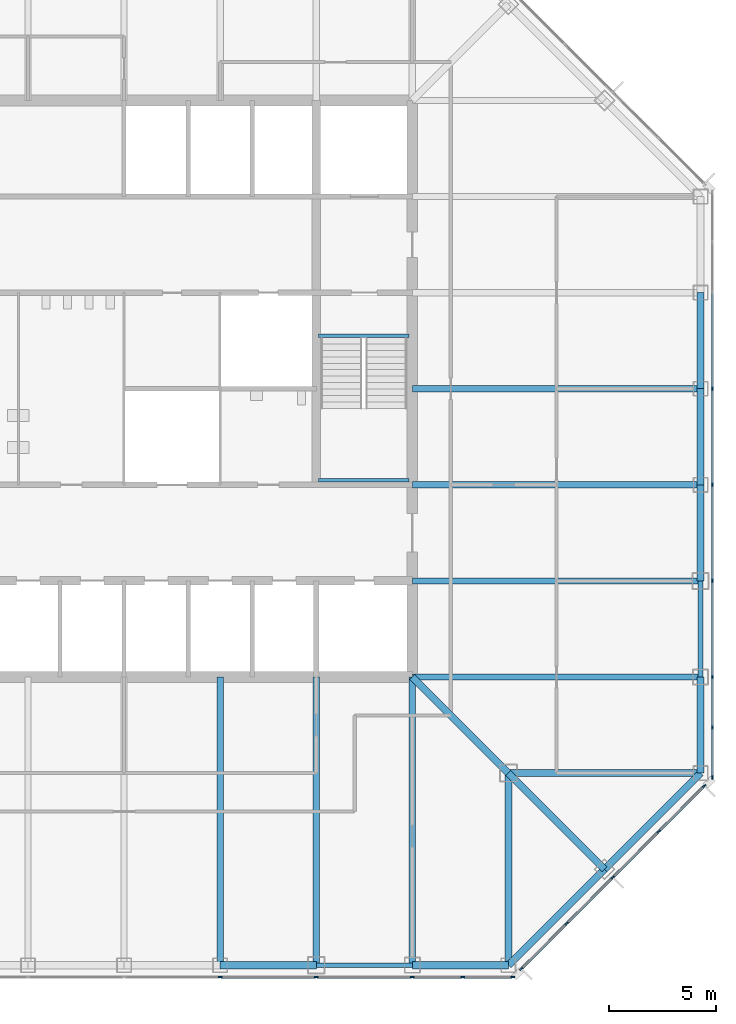
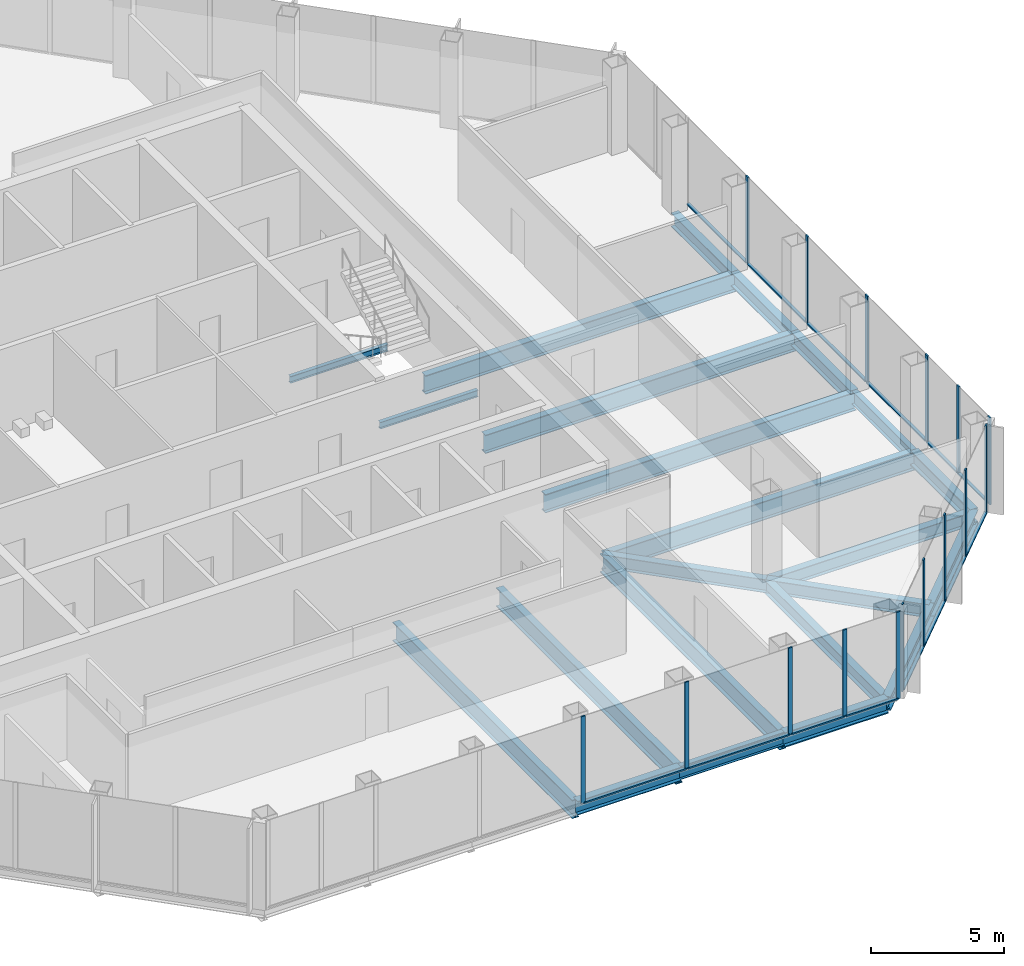
# One storey, part 4 of 13: 30 members, 23 beams, 3 elements without a shape of their own.
"""IFC4 building model written with IfcOpenShell, lengths in metres."""

from ifc_helpers import new_model, si_unit, direction, frame, origin, origin_2d, place, context, subcontext, project, spatial, rectangle, i_section, extrude, material, material_profile, profile_set, type_object, element, aggregate, save


model = new_model("IFC4")

# Units and contexts
model_context = context("Model", 3, precision=1e-05, world=origin(), true_north=direction((0.0, 1.0)))
body_context = subcontext(model_context, "Body", "Model", "MODEL_VIEW")
ifc_project = project(units=[si_unit("LENGTHUNIT", "METRE"), si_unit("AREAUNIT", "SQUARE_METRE"), si_unit("VOLUMEUNIT", "CUBIC_METRE"), si_unit("PLANEANGLEUNIT", "RADIAN"), si_unit("MASSUNIT", "GRAM", prefix="KILO")], contexts=[model_context])

# Site, building, storey
site_placement = place(None, origin())
site = spatial("IfcSite", under=ifc_project, at=site_placement, CompositionType="ELEMENT")
building_placement = place(site_placement, origin())
building = spatial("IfcBuilding", under=site, at=building_placement, Name="Corais Broadcast Tower", CompositionType="ELEMENT")
storey_placement = place(building_placement, frame((0.0, 0.0, 155.60009765625)))
storey = spatial("IfcBuildingStorey", under=building, at=storey_placement, Name="L35", CompositionType="ELEMENT", Elevation=155.60009765625)

# Beams
ifc_material_1 = material(Name="Steel ASTM A572 Grade 50", Category="steel")
ifc_material_profile_1 = material_profile(ifc_material_1, i_section(OverallWidth=0.323974609375, OverallDepth=0.611083984375, WebThickness=0.0126953125, FlangeThickness=0.01904296875, at=origin_2d()), Name="W610x155")
ifc_profile_set_1 = profile_set([ifc_material_profile_1], Name="Steel ASTM A572 Grade 50")
beam_type_1 = type_object("IfcBeamType", Name="Chamfer tie W610x155", PredefinedType="BEAM", material=ifc_profile_set_1)
beam_1_placement = place(storey_placement, frame((49.5, 4.5, -0.465576171875), z_axis=(-0.707106781187, 0.707106781187, 0.0), x_axis=(-0.707106781187, -0.707106781187, 0.0)))
element("IfcBeam", 1, at=beam_1_placement, inside=storey, type_object=beam_type_1, Name="B5 B/14 to C/13", PredefinedType="BEAM", context=body_context, shape_type="SweptSolid", body=[
    extrude(i_section(OverallWidth=0.323974609375, OverallDepth=0.611083984375, WebThickness=0.0126953125, FlangeThickness=0.01904296875, at=origin_2d()), origin(), (0.0, 0.0, 1.0), 6.364013671875),
])
ifc_material_2 = material(Name="Steel ASTM A572 Grade 50", Category="steel")
ifc_material_profile_2 = material_profile(ifc_material_2, i_section(OverallWidth=0.323974609375, OverallDepth=0.611083984375, WebThickness=0.0126953125, FlangeThickness=0.01904296875, at=origin_2d()), Name="W610x155")
ifc_profile_set_2 = profile_set([ifc_material_profile_2], Name="Steel ASTM A572 Grade 50")
beam_type_2 = type_object("IfcBeamType", Name="Corner diagonal W610x155", PredefinedType="BEAM", material=ifc_profile_set_2)
beam_2_placement = place(storey_placement, frame((45.0, 9.0, -0.465576171875), z_axis=(-0.707106781187, 0.707106781187, 0.0), x_axis=(-0.707106781187, -0.707106781187, 0.0)))
element("IfcBeam", 2, at=beam_2_placement, inside=storey, type_object=beam_type_2, Name="B6 C/13 to D/12", PredefinedType="BEAM", context=body_context, shape_type="SweptSolid", body=[
    extrude(i_section(OverallWidth=0.323974609375, OverallDepth=0.611083984375, WebThickness=0.0126953125, FlangeThickness=0.01904296875, at=origin_2d()), origin(), (0.0, 0.0, 1.0), 6.364013671875),
])
ifc_material_3 = material(Name="Steel ASTM A572 Grade 50", Category="steel")
ifc_material_profile_3 = material_profile(ifc_material_3, i_section(OverallWidth=0.323974609375, OverallDepth=0.611083984375, WebThickness=0.0126953125, FlangeThickness=0.01904296875, at=origin_2d()), Name="W610x155")
ifc_profile_set_3 = profile_set([ifc_material_profile_3], Name="Steel ASTM A572 Grade 50")
beam_type_3 = type_object("IfcBeamType", Name="Corner girder W610x155", PredefinedType="BEAM", material=ifc_profile_set_3)
for number, where, z_axis, x_axis, name in (
    (3, (45.0, 0.0, -0.465576171875), (0.0, 1.0, 0.0), (-1.0, 0.0, 0.0), "B4 A/13 to C/13"),
    (4, (54.0, 9.0, -0.465576171875), (-1.0, 0.0, 0.0), (0.0, -1.0, 0.0), "B4 C/15 to C/13"),
):
    element("IfcBeam", number, at=place(storey_placement, frame(where, z_axis=z_axis, x_axis=x_axis)), inside=storey, type_object=beam_type_3, Name=name, PredefinedType="BEAM", context=body_context, shape_type="SweptSolid", body=[
        extrude(i_section(OverallWidth=0.323974609375, OverallDepth=0.611083984375, WebThickness=0.0126953125, FlangeThickness=0.01904296875, at=origin_2d()), origin(), (0.0, 0.0, 1.0), 9.0),
    ])
ifc_material_4 = material(Name="Steel ASTM A572 Grade 50", Category="steel")
ifc_material_profile_4 = material_profile(ifc_material_4, i_section(OverallWidth=0.337890625, OverallDepth=0.677978515625, WebThickness=0.029541015625, FlangeThickness=0.052978515625, at=origin_2d()), Name="W610x415")
ifc_profile_set_4 = profile_set([ifc_material_profile_4], Name="Steel ASTM A572 Grade 50")
beam_type_4 = type_object("IfcBeamType", Name="Corner spandrel W610x415", PredefinedType="BEAM", material=ifc_profile_set_4)
for number, where, z_axis, x_axis, name in (
    (5, (40.5, 0.0, -0.4990234375), (1.0, 0.0, 0.0), (0.0, 1.0, 0.0), "SB10 A/12 to A/13"),
    (6, (54.0, 9.0, -0.4990234375), (0.0, 1.0, 0.0), (-1.0, 0.0, 0.0), "SB10 C/15 to D/15"),
):
    element("IfcBeam", number, at=place(storey_placement, frame(where, z_axis=z_axis, x_axis=x_axis)), inside=storey, type_object=beam_type_4, Name=name, PredefinedType="BEAM", context=body_context, shape_type="SweptSolid", body=[
        extrude(i_section(OverallWidth=0.337890625, OverallDepth=0.677978515625, WebThickness=0.029541015625, FlangeThickness=0.052978515625, at=origin_2d()), origin(), (0.0, 0.0, 1.0), 4.5),
    ])
ifc_material_5 = material(Name="Steel ASTM A572 Grade 50", Category="steel")
ifc_material_profile_5 = material_profile(ifc_material_5, i_section(OverallWidth=0.2939453125, OverallDepth=0.85107421875, WebThickness=0.01611328125, FlangeThickness=0.02685546875, at=origin_2d()), Name="W840x226")
ifc_profile_set_5 = profile_set([ifc_material_profile_5], Name="Steel ASTM A572 Grade 50")
beam_type_5 = type_object("IfcBeamType", Name="Floor beam W840x226", PredefinedType="BEAM", material=ifc_profile_set_5)
for number, where, z_axis, x_axis, name in (
    (7, (31.5, 0.0, -0.585693359375), (0.0, 1.0, 0.0), (-1.0, 0.0, 0.0), "B1 A/10 to D/10"),
    (8, (36.0, 0.0, -0.585693359375), (0.0, 1.0, 0.0), (-1.0, 0.0, 0.0), "B1 A/11 to D/11"),
    (9, (40.5, 0.0, -0.585693359375), (0.0, 1.0, 0.0), (-1.0, 0.0, 0.0), "B1 A/12 to D/12"),
    (10, (54.0, 13.5, -0.585693359375), (-1.0, 0.0, 0.0), (0.0, -1.0, 0.0), "B1 D/15 to D/12"),
    (11, (54.0, 18.0, -0.585693359375), (-1.0, 0.0, 0.0), (0.0, -1.0, 0.0), "B1 E/15 to E/12"),
    (12, (54.0, 22.5, -0.585693359375), (-1.0, 0.0, 0.0), (0.0, -1.0, 0.0), "B1 F/15 to F/12"),
    (13, (54.0, 27.0, -0.585693359375), (-1.0, 0.0, 0.0), (0.0, -1.0, 0.0), "B1 G/15 to G/12"),
):
    element("IfcBeam", number, at=place(storey_placement, frame(where, z_axis=z_axis, x_axis=x_axis)), inside=storey, type_object=beam_type_5, Name=name, PredefinedType="BEAM", context=body_context, shape_type="SweptSolid", body=[
        extrude(i_section(OverallWidth=0.2939453125, OverallDepth=0.85107421875, WebThickness=0.01611328125, FlangeThickness=0.02685546875, at=origin_2d()), origin(), (0.0, 0.0, 1.0), 13.5),
    ])
ifc_material_6 = material(Name="Steel ASTM A572 Grade 50", Category="steel")
ifc_material_profile_6 = material_profile(ifc_material_6, i_section(OverallWidth=0.1650390625, OverallDepth=0.31005859375, WebThickness=0.005859375, FlangeThickness=0.009765625, at=origin_2d()), Name="W310x38.7")
ifc_profile_set_6 = profile_set([ifc_material_profile_6], Name="Steel ASTM A572 Grade 50")
beam_type_6 = type_object("IfcBeamType", Name="Landing trimmer W310x38.7", PredefinedType="BEAM", material=ifc_profile_set_6)
for number, where, z_axis, x_axis, name in (
    (14, (36.10009765625, 29.47509765625, -0.35498046875), (1.0, 0.0, 0.0), (0.0, 1.0, 0.0), "LT1 stair B landing trimmer L35"),
    (15, (36.10009765625, 22.715087890625, 1.64501953125), (1.0, 0.0, 0.0), (0.0, 1.0, 0.0), "LT1 stair B half landing trimmer L35"),
):
    element("IfcBeam", number, at=place(storey_placement, frame(where, z_axis=z_axis, x_axis=x_axis)), inside=storey, type_object=beam_type_6, Name=name, PredefinedType="BEAM", context=body_context, shape_type="SweptSolid", body=[
        extrude(i_section(OverallWidth=0.1650390625, OverallDepth=0.31005859375, WebThickness=0.005859375, FlangeThickness=0.009765625, at=origin_2d()), origin(), (0.0, 0.0, 1.0), 4.25),
    ])

# Curtain wall, members
ifc_material_7 = material(Name="Aluminium and glass", Category="aluminium")
curtain_wall_type = type_object("IfcCurtainWallType", Name="Unitised fritted curtain wall CW2", PredefinedType="NOTDEFINED", material=ifc_material_7)
curtain_wall_1_placement = place(storey_placement, origin())
curtain_wall_1 = element("IfcCurtainWall", 16, at=curtain_wall_1_placement, inside=storey, type_object=curtain_wall_type, Name="CW2 curtain wall L35 6", PredefinedType="NOTDEFINED")
ifc_material_8 = material(Name="Aluminium 6063-T6", Category="aluminium")
ifc_material_profile_7 = material_profile(ifc_material_8, rectangle(XDim=0.06494140625, YDim=0.179931640625, at=origin_2d()), Name="Mullion CW2 65x180")
ifc_profile_set_7 = profile_set([ifc_material_profile_7], Name="Aluminium 6063-T6")
member_type_1 = type_object("IfcMemberType", Name="Mullion CW2 65x180", PredefinedType="MULLION", material=ifc_profile_set_7)
member_1_placement = place(storey_placement, frame((54.550048828125, 27.0, 0.0), z_axis=(0.0, 0.0, 1.0), x_axis=(1.0, 0.0, 0.0)))
member_1 = element("IfcMember", 17, at=member_1_placement, type_object=member_type_1, Name="CW2 mullion 4", PredefinedType="MULLION", context=body_context, shape_type="SweptSolid", body=[
    extrude(rectangle(XDim=0.06494140625, YDim=0.179931640625, at=origin_2d()), origin(), (0.0, 0.0, 1.0), 4.0),
])
member_2_placement = place(storey_placement, frame((54.550048828125, 22.5, 0.0), z_axis=(0.0, 0.0, 1.0), x_axis=(1.0, 0.0, 0.0)))
member_2 = element("IfcMember", 18, at=member_2_placement, type_object=member_type_1, Name="CW2 mullion 5", PredefinedType="MULLION", context=body_context, shape_type="SweptSolid", body=[
    extrude(rectangle(XDim=0.06494140625, YDim=0.179931640625, at=origin_2d()), origin(), (0.0, 0.0, 1.0), 4.0),
])
member_3_placement = place(storey_placement, frame((54.550048828125, 18.0, 0.0), z_axis=(0.0, 0.0, 1.0), x_axis=(1.0, 0.0, 0.0)))
member_3 = element("IfcMember", 19, at=member_3_placement, type_object=member_type_1, Name="CW2 mullion 6", PredefinedType="MULLION", context=body_context, shape_type="SweptSolid", body=[
    extrude(rectangle(XDim=0.06494140625, YDim=0.179931640625, at=origin_2d()), origin(), (0.0, 0.0, 1.0), 4.0),
])
member_4_placement = place(storey_placement, frame((54.550048828125, 13.5, 0.0), z_axis=(0.0, 0.0, 1.0), x_axis=(1.0, 0.0, 0.0)))
member_4 = element("IfcMember", 20, at=member_4_placement, type_object=member_type_1, Name="CW2 mullion 7", PredefinedType="MULLION", context=body_context, shape_type="SweptSolid", body=[
    extrude(rectangle(XDim=0.06494140625, YDim=0.179931640625, at=origin_2d()), origin(), (0.0, 0.0, 1.0), 4.0),
])
member_5_placement = place(storey_placement, frame((54.550048828125, 11.135986328125, 0.0), z_axis=(0.0, 0.0, 1.0), x_axis=(1.0, 0.0, 0.0)))
member_5 = element("IfcMember", 21, at=member_5_placement, type_object=member_type_1, Name="CW2 mullion 8", PredefinedType="MULLION", context=body_context, shape_type="SweptSolid", body=[
    extrude(rectangle(XDim=0.06494140625, YDim=0.179931640625, at=origin_2d()), origin(), (0.0, 0.0, 1.0), 4.0),
])
member_6_placement = place(storey_placement, frame((54.550048828125, 8.8046875, 0.0), z_axis=(0.0, 0.0, 1.0), x_axis=(1.0, 0.0, 0.0)))
member_6 = element("IfcMember", 22, at=member_6_placement, type_object=member_type_1, Name="CW2 mullion 9", PredefinedType="MULLION", context=body_context, shape_type="SweptSolid", body=[
    extrude(rectangle(XDim=0.06494140625, YDim=0.179931640625, at=origin_2d()), origin(), (0.0, 0.0, 1.0), 4.0),
])

curtain_wall_2_placement = place(storey_placement, origin())
curtain_wall_2 = element("IfcCurtainWall", 23, at=curtain_wall_2_placement, inside=storey, type_object=curtain_wall_type, Name="CW2 curtain wall L35 7", PredefinedType="NOTDEFINED")
member_7_placement = place(storey_placement, frame((54.17333984375, 8.3955078125, 0.0), z_axis=(0.0, 0.0, 1.0), x_axis=(0.707106781187, -0.707106781187, 0.0)))
member_7 = element("IfcMember", 24, at=member_7_placement, type_object=member_type_1, Name="CW2 mullion 1", PredefinedType="MULLION", context=body_context, shape_type="SweptSolid", body=[
    extrude(rectangle(XDim=0.06494140625, YDim=0.179931640625, at=origin_2d()), origin(), (0.0, 0.0, 1.0), 4.0),
])
member_8_placement = place(storey_placement, frame((52.042724609375, 6.264892578125, 0.0), z_axis=(0.0, 0.0, 1.0), x_axis=(0.707106781187, -0.707106781187, 0.0)))
member_8 = element("IfcMember", 25, at=member_8_placement, type_object=member_type_1, Name="CW2 mullion 2", PredefinedType="MULLION", context=body_context, shape_type="SweptSolid", body=[
    extrude(rectangle(XDim=0.06494140625, YDim=0.179931640625, at=origin_2d()), origin(), (0.0, 0.0, 1.0), 4.0),
])
member_9_placement = place(storey_placement, frame((49.888916015625, 4.111083984375, 0.0), z_axis=(0.0, 0.0, 1.0), x_axis=(0.707106781187, -0.707106781187, 0.0)))
member_9 = element("IfcMember", 26, at=member_9_placement, type_object=member_type_1, Name="CW2 mullion 3", PredefinedType="MULLION", context=body_context, shape_type="SweptSolid", body=[
    extrude(rectangle(XDim=0.06494140625, YDim=0.179931640625, at=origin_2d()), origin(), (0.0, 0.0, 1.0), 4.0),
])
member_10_placement = place(storey_placement, frame((47.735107421875, 1.957275390625, 0.0), z_axis=(0.0, 0.0, 1.0), x_axis=(0.707106781187, -0.707106781187, 0.0)))
member_10 = element("IfcMember", 27, at=member_10_placement, type_object=member_type_1, Name="CW2 mullion 4", PredefinedType="MULLION", context=body_context, shape_type="SweptSolid", body=[
    extrude(rectangle(XDim=0.06494140625, YDim=0.179931640625, at=origin_2d()), origin(), (0.0, 0.0, 1.0), 4.0),
])
member_11_placement = place(storey_placement, frame((45.6044921875, -0.17333984375, 0.0), z_axis=(0.0, 0.0, 1.0), x_axis=(0.707106781187, -0.707106781187, 0.0)))
member_11 = element("IfcMember", 28, at=member_11_placement, type_object=member_type_1, Name="CW2 mullion 5", PredefinedType="MULLION", context=body_context, shape_type="SweptSolid", body=[
    extrude(rectangle(XDim=0.06494140625, YDim=0.179931640625, at=origin_2d()), origin(), (0.0, 0.0, 1.0), 4.0),
])

curtain_wall_3_placement = place(storey_placement, origin())
curtain_wall_3 = element("IfcCurtainWall", 29, at=curtain_wall_3_placement, inside=storey, type_object=curtain_wall_type, Name="CW2 curtain wall L35 8", PredefinedType="NOTDEFINED")
member_12_placement = place(storey_placement, frame((45.1953125, -0.550048828125, 0.0), z_axis=(0.0, 0.0, 1.0), x_axis=(0.0, -1.0, 0.0)))
member_12 = element("IfcMember", 30, at=member_12_placement, type_object=member_type_1, Name="CW2 mullion 1", PredefinedType="MULLION", context=body_context, shape_type="SweptSolid", body=[
    extrude(rectangle(XDim=0.06494140625, YDim=0.179931640625, at=origin_2d()), origin(), (0.0, 0.0, 1.0), 4.0),
])
member_13_placement = place(storey_placement, frame((42.864013671875, -0.550048828125, 0.0), z_axis=(0.0, 0.0, 1.0), x_axis=(0.0, -1.0, 0.0)))
member_13 = element("IfcMember", 31, at=member_13_placement, type_object=member_type_1, Name="CW2 mullion 2", PredefinedType="MULLION", context=body_context, shape_type="SweptSolid", body=[
    extrude(rectangle(XDim=0.06494140625, YDim=0.179931640625, at=origin_2d()), origin(), (0.0, 0.0, 1.0), 4.0),
])
member_14_placement = place(storey_placement, frame((40.5, -0.550048828125, 0.0), z_axis=(0.0, 0.0, 1.0), x_axis=(0.0, -1.0, 0.0)))
member_14 = element("IfcMember", 32, at=member_14_placement, type_object=member_type_1, Name="CW2 mullion 3", PredefinedType="MULLION", context=body_context, shape_type="SweptSolid", body=[
    extrude(rectangle(XDim=0.06494140625, YDim=0.179931640625, at=origin_2d()), origin(), (0.0, 0.0, 1.0), 4.0),
])
member_15_placement = place(storey_placement, frame((36.0, -0.550048828125, 0.0), z_axis=(0.0, 0.0, 1.0), x_axis=(0.0, -1.0, 0.0)))
member_15 = element("IfcMember", 33, at=member_15_placement, type_object=member_type_1, Name="CW2 mullion 4", PredefinedType="MULLION", context=body_context, shape_type="SweptSolid", body=[
    extrude(rectangle(XDim=0.06494140625, YDim=0.179931640625, at=origin_2d()), origin(), (0.0, 0.0, 1.0), 4.0),
])
member_16_placement = place(storey_placement, frame((31.5, -0.550048828125, 0.0), z_axis=(0.0, 0.0, 1.0), x_axis=(0.0, -1.0, 0.0)))
member_16 = element("IfcMember", 34, at=member_16_placement, type_object=member_type_1, Name="CW2 mullion 5", PredefinedType="MULLION", context=body_context, shape_type="SweptSolid", body=[
    extrude(rectangle(XDim=0.06494140625, YDim=0.179931640625, at=origin_2d()), origin(), (0.0, 0.0, 1.0), 4.0),
])

# Beams
ifc_material_9 = material(Name="Steel ASTM A572 Grade 50", Category="steel")
ifc_material_profile_8 = material_profile(ifc_material_9, i_section(OverallWidth=0.22900390625, OverallDepth=0.612060546875, WebThickness=0.011962890625, FlangeThickness=0.01953125, at=origin_2d()), Name="W610x125")
ifc_profile_set_8 = profile_set([ifc_material_profile_8], Name="Steel ASTM A572 Grade 50")
beam_type_7 = type_object("IfcBeamType", Name="Pinned spandrel W610x125", PredefinedType="BEAM", material=ifc_profile_set_8)
for number, where, z_axis, x_axis, name in (
    (35, (36.0, 0.0, -0.466064453125), (1.0, 0.0, 0.0), (0.0, 1.0, 0.0), "SB7 A/11 to A/12"),
    (36, (54.0, 13.5, -0.466064453125), (0.0, 1.0, 0.0), (-1.0, 0.0, 0.0), "SB7 D/15 to E/15"),
):
    element("IfcBeam", number, at=place(storey_placement, frame(where, z_axis=z_axis, x_axis=x_axis)), inside=storey, type_object=beam_type_7, Name=name, PredefinedType="BEAM", context=body_context, shape_type="SweptSolid", body=[
        extrude(i_section(OverallWidth=0.22900390625, OverallDepth=0.612060546875, WebThickness=0.011962890625, FlangeThickness=0.01953125, at=origin_2d()), origin(), (0.0, 0.0, 1.0), 4.5),
    ])
ifc_material_10 = material(Name="Steel ASTM A572 Grade 50", Category="steel")
ifc_material_profile_9 = material_profile(ifc_material_10, i_section(OverallWidth=0.3291015625, OverallDepth=0.635009765625, WebThickness=0.017822265625, FlangeThickness=0.031005859375, at=origin_2d()), Name="W610x241")
ifc_profile_set_9 = profile_set([ifc_material_profile_9], Name="Steel ASTM A572 Grade 50")
beam_type_8 = type_object("IfcBeamType", Name="Spandrel W610x241", PredefinedType="BEAM", material=ifc_profile_set_9)
beam_3_placement = place(storey_placement, frame((31.5, 0.0, -0.4775390625), z_axis=(1.0, 0.0, 0.0), x_axis=(0.0, 1.0, 0.0)))
element("IfcBeam", 37, at=beam_3_placement, inside=storey, type_object=beam_type_8, Name="SB1 A/10 to A/11", PredefinedType="BEAM", context=body_context, shape_type="SweptSolid", body=[
    extrude(i_section(OverallWidth=0.3291015625, OverallDepth=0.635009765625, WebThickness=0.017822265625, FlangeThickness=0.031005859375, at=origin_2d()), origin(), (0.0, 0.0, 1.0), 4.5),
])
for number, where, z_axis, x_axis, name in (
    (38, (45.0, 0.0, -0.4775390625), (0.707106781187, 0.707106781187, 0.0), (-0.707106781187, 0.707106781187, 0.0), "SB1 A/13 to B/14"),
    (39, (49.5, 4.5, -0.4775390625), (0.707106781187, 0.707106781187, 0.0), (-0.707106781187, 0.707106781187, 0.0), "SB1 B/14 to C/15"),
):
    element("IfcBeam", number, at=place(storey_placement, frame(where, z_axis=z_axis, x_axis=x_axis)), inside=storey, type_object=beam_type_8, Name=name, PredefinedType="BEAM", context=body_context, shape_type="SweptSolid", body=[
        extrude(i_section(OverallWidth=0.3291015625, OverallDepth=0.635009765625, WebThickness=0.017822265625, FlangeThickness=0.031005859375, at=origin_2d()), origin(), (0.0, 0.0, 1.0), 6.364013671875),
    ])
for number, where, z_axis, x_axis, name in (
    (40, (54.0, 18.0, -0.4775390625), (0.0, 1.0, 0.0), (-1.0, 0.0, 0.0), "SB1 E/15 to F/15"),
    (41, (54.0, 22.5, -0.4775390625), (0.0, 1.0, 0.0), (-1.0, 0.0, 0.0), "SB1 F/15 to G/15"),
    (42, (54.0, 27.0, -0.4775390625), (0.0, 1.0, 0.0), (-1.0, 0.0, 0.0), "SB1 G/15 to H/15"),
):
    element("IfcBeam", number, at=place(storey_placement, frame(where, z_axis=z_axis, x_axis=x_axis)), inside=storey, type_object=beam_type_8, Name=name, PredefinedType="BEAM", context=body_context, shape_type="SweptSolid", body=[
        extrude(i_section(OverallWidth=0.3291015625, OverallDepth=0.635009765625, WebThickness=0.017822265625, FlangeThickness=0.031005859375, at=origin_2d()), origin(), (0.0, 0.0, 1.0), 4.5),
    ])

# Member
ifc_material_11 = material(Name="Aluminium 6063-T6", Category="aluminium")
ifc_material_profile_10 = material_profile(ifc_material_11, rectangle(XDim=0.1298828125, YDim=0.06494140625, at=origin_2d()), Name="Transom CW2 65x130")
ifc_profile_set_10 = profile_set([ifc_material_profile_10], Name="Aluminium 6063-T6")
member_type_2 = type_object("IfcMemberType", Name="Transom CW2 65x130", PredefinedType="USERDEFINED", material=ifc_profile_set_10)
member_17_placement = place(storey_placement, frame((54.550048828125, 31.467529296875, 0.032470703125), z_axis=(0.0, -1.0, 0.0), x_axis=(1.0, 0.0, 0.0)))
member_17 = element("IfcMember", 43, at=member_17_placement, type_object=member_type_2, Name="CW2 transom 3.1", ObjectType="TRANSOM", PredefinedType="USERDEFINED", context=body_context, shape_type="SweptSolid", body=[
    extrude(rectangle(XDim=0.1298828125, YDim=0.06494140625, at=origin_2d()), origin(), (0.0, 0.0, 1.0), 4.43505859375),
])

member_18_placement = place(storey_placement, frame((54.550048828125, 26.967529296875, 0.032470703125), z_axis=(0.0, -1.0, 0.0), x_axis=(1.0, 0.0, 0.0)))
member_18 = element("IfcMember", 44, at=member_18_placement, type_object=member_type_2, Name="CW2 transom 4.1", ObjectType="TRANSOM", PredefinedType="USERDEFINED", context=body_context, shape_type="SweptSolid", body=[
    extrude(rectangle(XDim=0.1298828125, YDim=0.06494140625, at=origin_2d()), origin(), (0.0, 0.0, 1.0), 4.43505859375),
])

member_19_placement = place(storey_placement, frame((54.550048828125, 22.467529296875, 0.032470703125), z_axis=(0.0, -1.0, 0.0), x_axis=(1.0, 0.0, 0.0)))
member_19 = element("IfcMember", 45, at=member_19_placement, type_object=member_type_2, Name="CW2 transom 5.1", ObjectType="TRANSOM", PredefinedType="USERDEFINED", context=body_context, shape_type="SweptSolid", body=[
    extrude(rectangle(XDim=0.1298828125, YDim=0.06494140625, at=origin_2d()), origin(), (0.0, 0.0, 1.0), 4.43505859375),
])

member_20_placement = place(storey_placement, frame((54.550048828125, 17.967529296875, 0.032470703125), z_axis=(0.0, -1.0, 0.0), x_axis=(1.0, 0.0, 0.0)))
member_20 = element("IfcMember", 46, at=member_20_placement, type_object=member_type_2, Name="CW2 transom 6.1", ObjectType="TRANSOM", PredefinedType="USERDEFINED", context=body_context, shape_type="SweptSolid", body=[
    extrude(rectangle(XDim=0.1298828125, YDim=0.06494140625, at=origin_2d()), origin(), (0.0, 0.0, 1.0), 4.43505859375),
])

member_21_placement = place(storey_placement, frame((54.550048828125, 13.467529296875, 0.032470703125), z_axis=(0.0, -1.0, 0.0), x_axis=(1.0, 0.0, 0.0)))
member_21 = element("IfcMember", 47, at=member_21_placement, type_object=member_type_2, Name="CW2 transom 7.1", ObjectType="TRANSOM", PredefinedType="USERDEFINED", context=body_context, shape_type="SweptSolid", body=[
    extrude(rectangle(XDim=0.1298828125, YDim=0.06494140625, at=origin_2d()), origin(), (0.0, 0.0, 1.0), 2.298828125),
])

member_22_placement = place(storey_placement, frame((54.550048828125, 11.103515625, 0.032470703125), z_axis=(0.0, -1.0, 0.0), x_axis=(1.0, 0.0, 0.0)))
member_22 = element("IfcMember", 48, at=member_22_placement, type_object=member_type_2, Name="CW2 transom 8.1", ObjectType="TRANSOM", PredefinedType="USERDEFINED", context=body_context, shape_type="SweptSolid", body=[
    extrude(rectangle(XDim=0.1298828125, YDim=0.06494140625, at=origin_2d()), origin(), (0.0, 0.0, 1.0), 2.266357421875),
])

aggregate(curtain_wall_1, [member_1, member_2, member_3, member_4, member_5, member_6, member_17, member_18, member_19, member_20, member_21, member_22])

member_23_placement = place(storey_placement, frame((54.150390625, 8.37255859375, 0.032470703125), z_axis=(-0.707106781187, -0.707106781187, 0.0), x_axis=(0.707106781187, -0.707106781187, 0.0)))
member_23 = element("IfcMember", 49, at=member_23_placement, type_object=member_type_2, Name="CW2 transom 1.1", ObjectType="TRANSOM", PredefinedType="USERDEFINED", context=body_context, shape_type="SweptSolid", body=[
    extrude(rectangle(XDim=0.1298828125, YDim=0.06494140625, at=origin_2d()), origin(), (0.0, 0.0, 1.0), 2.9482421875),
])

member_24_placement = place(storey_placement, frame((52.019775390625, 6.241943359375, 0.032470703125), z_axis=(-0.707106781187, -0.707106781187, 0.0), x_axis=(0.707106781187, -0.707106781187, 0.0)))
member_24 = element("IfcMember", 50, at=member_24_placement, type_object=member_type_2, Name="CW2 transom 2.1", ObjectType="TRANSOM", PredefinedType="USERDEFINED", context=body_context, shape_type="SweptSolid", body=[
    extrude(rectangle(XDim=0.1298828125, YDim=0.06494140625, at=origin_2d()), origin(), (0.0, 0.0, 1.0), 2.98095703125),
])

member_25_placement = place(storey_placement, frame((49.865966796875, 4.088134765625, 0.032470703125), z_axis=(-0.707106781187, -0.707106781187, 0.0), x_axis=(0.707106781187, -0.707106781187, 0.0)))
member_25 = element("IfcMember", 51, at=member_25_placement, type_object=member_type_2, Name="CW2 transom 3.1", ObjectType="TRANSOM", PredefinedType="USERDEFINED", context=body_context, shape_type="SweptSolid", body=[
    extrude(rectangle(XDim=0.1298828125, YDim=0.06494140625, at=origin_2d()), origin(), (0.0, 0.0, 1.0), 2.98095703125),
])

member_26_placement = place(storey_placement, frame((47.712158203125, 1.934326171875, 0.032470703125), z_axis=(-0.707106781187, -0.707106781187, 0.0), x_axis=(0.707106781187, -0.707106781187, 0.0)))
member_26 = element("IfcMember", 52, at=member_26_placement, type_object=member_type_2, Name="CW2 transom 4.1", ObjectType="TRANSOM", PredefinedType="USERDEFINED", context=body_context, shape_type="SweptSolid", body=[
    extrude(rectangle(XDim=0.1298828125, YDim=0.06494140625, at=origin_2d()), origin(), (0.0, 0.0, 1.0), 2.9482421875),
])

aggregate(curtain_wall_2, [member_7, member_8, member_9, member_10, member_11, member_23, member_24, member_25, member_26])

member_27_placement = place(storey_placement, frame((45.162841796875, -0.550048828125, 0.032470703125), z_axis=(-1.0, 0.0, 0.0), x_axis=(0.0, -1.0, 0.0)))
member_27 = element("IfcMember", 53, at=member_27_placement, type_object=member_type_2, Name="CW2 transom 1.1", ObjectType="TRANSOM", PredefinedType="USERDEFINED", context=body_context, shape_type="SweptSolid", body=[
    extrude(rectangle(XDim=0.1298828125, YDim=0.06494140625, at=origin_2d()), origin(), (0.0, 0.0, 1.0), 2.266357421875),
])

member_28_placement = place(storey_placement, frame((42.831298828125, -0.550048828125, 0.032470703125), z_axis=(-1.0, 0.0, 0.0), x_axis=(0.0, -1.0, 0.0)))
member_28 = element("IfcMember", 54, at=member_28_placement, type_object=member_type_2, Name="CW2 transom 2.1", ObjectType="TRANSOM", PredefinedType="USERDEFINED", context=body_context, shape_type="SweptSolid", body=[
    extrude(rectangle(XDim=0.1298828125, YDim=0.06494140625, at=origin_2d()), origin(), (0.0, 0.0, 1.0), 2.298828125),
])

member_29_placement = place(storey_placement, frame((40.467529296875, -0.550048828125, 0.032470703125), z_axis=(-1.0, 0.0, 0.0), x_axis=(0.0, -1.0, 0.0)))
member_29 = element("IfcMember", 55, at=member_29_placement, type_object=member_type_2, Name="CW2 transom 3.1", ObjectType="TRANSOM", PredefinedType="USERDEFINED", context=body_context, shape_type="SweptSolid", body=[
    extrude(rectangle(XDim=0.1298828125, YDim=0.06494140625, at=origin_2d()), origin(), (0.0, 0.0, 1.0), 4.43505859375),
])

member_30_placement = place(storey_placement, frame((35.967529296875, -0.550048828125, 0.032470703125), z_axis=(-1.0, 0.0, 0.0), x_axis=(0.0, -1.0, 0.0)))
member_30 = element("IfcMember", 56, at=member_30_placement, type_object=member_type_2, Name="CW2 transom 4.1", ObjectType="TRANSOM", PredefinedType="USERDEFINED", context=body_context, shape_type="SweptSolid", body=[
    extrude(rectangle(XDim=0.1298828125, YDim=0.06494140625, at=origin_2d()), origin(), (0.0, 0.0, 1.0), 4.43505859375),
])

aggregate(curtain_wall_3, [member_12, member_13, member_14, member_15, member_16, member_27, member_28, member_29, member_30])

save(model, "model.ifc")
